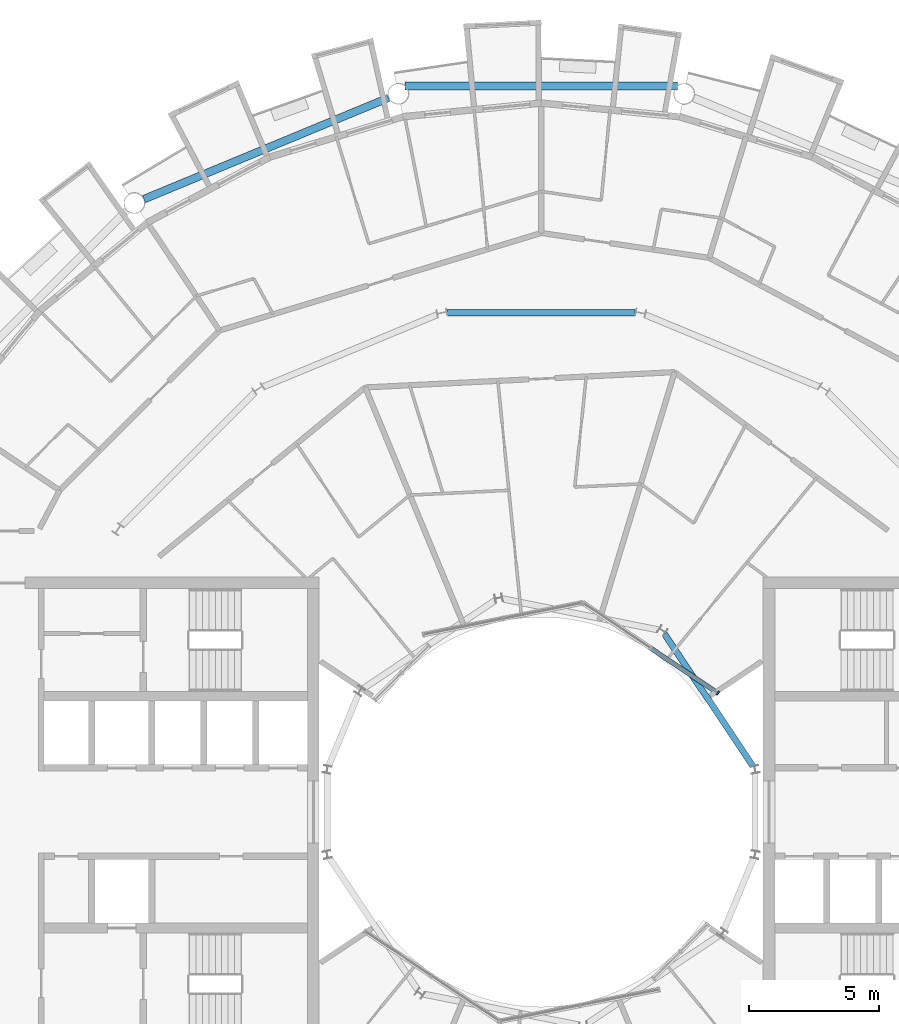
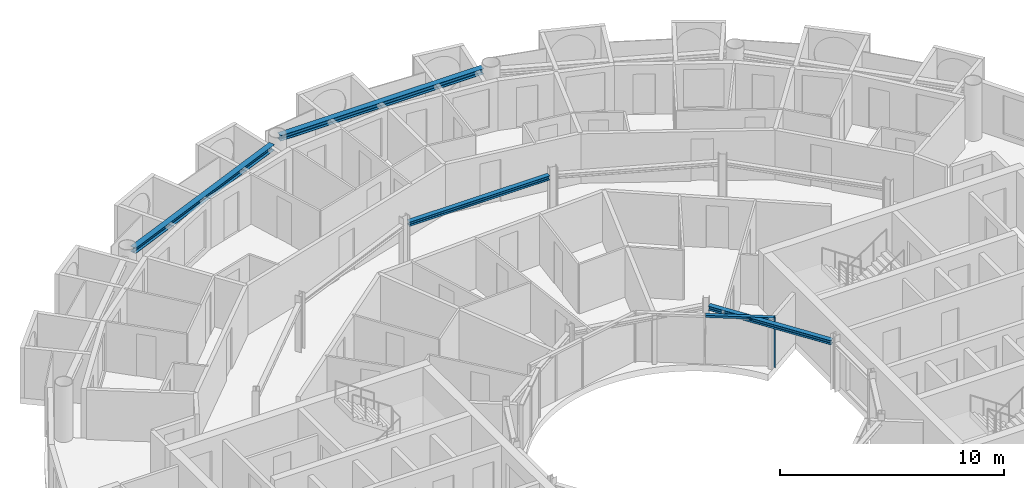
# One storey, part 10 of 29: 4 beams, 2 members, 1 element without a shape of its own.
"""IFC4 building model written with IfcOpenShell, lengths in metres."""

from ifc_helpers import new_model, si_unit, direction, frame, origin, origin_2d, place, context, subcontext, project, spatial, rectangle, i_section, extrude, material, layer, layer_set, material_profile, profile_set, type_object, element, aggregate, save


model = new_model("IFC4")

# Units and contexts
model_context = context("Model", 3, precision=1e-05, world=origin(), true_north=direction((0.0, 1.0)))
body_context = subcontext(model_context, "Body", "Model", "MODEL_VIEW")
ifc_project = project(units=[si_unit("LENGTHUNIT", "METRE"), si_unit("AREAUNIT", "SQUARE_METRE"), si_unit("VOLUMEUNIT", "CUBIC_METRE"), si_unit("PLANEANGLEUNIT", "RADIAN"), si_unit("MASSUNIT", "GRAM", prefix="KILO")], contexts=[model_context])

# Site, building, storey
site_placement = place(None, origin())
site = spatial("IfcSite", under=ifc_project, at=site_placement, CompositionType="ELEMENT")
building_placement = place(site_placement, origin())
building = spatial("IfcBuilding", under=site, at=building_placement, Name="Maasbend Ring Residences", CompositionType="ELEMENT")
storey_placement = place(building_placement, frame((0.0, 0.0, 202.39990234375)))
storey = spatial("IfcBuildingStorey", under=building, at=storey_placement, Name="L58", CompositionType="ELEMENT", Elevation=202.39990234375)

# Curtain wall, members
ifc_material_1 = material(Name="Aluminium and clear glass", Category="aluminium")
ifc_layer = layer(ifc_material_1, 0.179931640625)
ifc_layer_set = layer_set([ifc_layer], Name="CW-W")
curtain_wall_type = type_object("IfcCurtainWallType", Name="CW-W", PredefinedType="NOTDEFINED", material=ifc_layer_set)
curtain_wall_placement = place(storey_placement, origin())
curtain_wall = element("IfcCurtainWall", 1, at=curtain_wall_placement, inside=storey, type_object=curtain_wall_type, Name="Well curtain wall N1", PredefinedType="NOTDEFINED")
ifc_material_2 = material(Name="Aluminium 6063-T6", Category="aluminium")
ifc_material_profile_1 = material_profile(ifc_material_2, rectangle(XDim=0.179931640625, YDim=0.06005859375, at=origin_2d()), Name="AL 180x60")
ifc_profile_set_1 = profile_set([ifc_material_profile_1], Name="Aluminium 6063-T6")
member_type_1 = type_object("IfcMemberType", Name="CWM-W", PredefinedType="MULLION", material=ifc_profile_set_1)
member_1_placement = place(storey_placement, frame((6.805908203125, 4.580810546875, 0.0), z_axis=(0.0, 0.0, 1.0), x_axis=(-0.55557023302, -0.831469612303, 0.0)))
member_1 = element("IfcMember", 2, at=member_1_placement, type_object=member_type_1, Name="Mullion well face", PredefinedType="MULLION", context=body_context, shape_type="SweptSolid", body=[
    extrude(rectangle(XDim=0.179931640625, YDim=0.06005859375, at=origin_2d()), origin(), (0.0, 0.0, 1.0), 2.7001953125),
])
ifc_material_3 = material(Name="Aluminium 6063-T6", Category="aluminium")
ifc_material_profile_2 = material_profile(ifc_material_3, rectangle(XDim=0.179931640625, YDim=0.1201171875, at=origin_2d()), Name="AL 180x120")
ifc_profile_set_2 = profile_set([ifc_material_profile_2], Name="Aluminium 6063-T6")
member_type_2 = type_object("IfcMemberType", Name="CWT-W", PredefinedType="USERDEFINED", material=ifc_profile_set_2)
member_2_placement = place(storey_placement, frame((6.781005859375, 4.59765625, 2.64013671875), z_axis=(-0.831496422459, 0.555530106689, 0.0), x_axis=(-0.555530106689, -0.831496422459, 0.0)))
member_2 = element("IfcMember", 3, at=member_2_placement, type_object=member_type_2, Name="Transom well face", ObjectType="TRANSOM", PredefinedType="USERDEFINED", context=body_context, shape_type="SweptSolid", body=[
    extrude(rectangle(XDim=0.179931640625, YDim=0.1201171875, at=origin_2d()), origin(), (0.0, 0.0, 1.0), 3.053955078125),
])
aggregate(curtain_wall, [member_1, member_2])

# Beams
ifc_material_4 = material(Name="Steel S355J2", Category="steel")
ifc_material_profile_3 = material_profile(ifc_material_4, i_section(OverallWidth=0.239990234375, OverallDepth=0.22998046875, WebThickness=0.007568359375, FlangeThickness=0.011962890625, FilletRadius=0.02099609375, at=origin_2d()), Name="HEA 240")
ifc_profile_set_3 = profile_set([ifc_material_profile_3], Name="Steel S355J2")
beam_type_1 = type_object("IfcBeamType", Name="Corridor ring beam HEA 240", PredefinedType="BEAM", material=ifc_profile_set_3)
beam_1_placement = place(storey_placement, frame((3.619873046875, 19.223388671875, 2.585205078125), z_axis=(-1.0, 0.0, 0.0), x_axis=(0.0, -1.0, 0.0)))
element("IfcBeam", 4, at=beam_1_placement, inside=storey, type_object=beam_type_1, Name="Corridor ring beam", PredefinedType="BEAM", context=body_context, shape_type="SweptSolid", body=[
    extrude(i_section(OverallWidth=0.239990234375, OverallDepth=0.22998046875, WebThickness=0.007568359375, FlangeThickness=0.011962890625, FilletRadius=0.02099609375, at=origin_2d()), origin(), (0.0, 0.0, 1.0), 7.23974609375),
])
ifc_material_5 = material(Name="Steel S355J2", Category="steel")
ifc_material_profile_4 = material_profile(ifc_material_5, i_section(OverallWidth=0.300048828125, OverallDepth=0.300048828125, WebThickness=0.010986328125, FlangeThickness=0.01904296875, FilletRadius=0.027099609375, at=origin_2d()), Name="HEB 300")
ifc_profile_set_4 = profile_set([ifc_material_profile_4], Name="Steel S355J2")
beam_type_2 = type_object("IfcBeamType", Name="Spandrel ring beam HEB 300", PredefinedType="SPANDREL", material=ifc_profile_set_4)
beam_2_placement = place(storey_placement, frame((5.2451171875, 27.9580078125, 2.550048828125), z_axis=(-1.0, 0.0, 0.0), x_axis=(0.0, -1.0, 0.0)))
element("IfcBeam", 5, at=beam_2_placement, inside=storey, type_object=beam_type_2, Name="Spandrel ring beam", PredefinedType="SPANDREL", context=body_context, shape_type="SweptSolid", body=[
    extrude(i_section(OverallWidth=0.300048828125, OverallDepth=0.300048828125, WebThickness=0.010986328125, FlangeThickness=0.01904296875, FilletRadius=0.027099609375, at=origin_2d()), origin(), (0.0, 0.0, 1.0), 10.490234375),
])
beam_3_placement = place(storey_placement, frame((-5.877197265625, 27.50244140625, 2.550048828125), z_axis=(-0.923883676188, -0.382673428492, 0.0), x_axis=(0.382673428492, -0.923883676188, 0.0)))
element("IfcBeam", 6, at=beam_3_placement, inside=storey, type_object=beam_type_2, Name="Spandrel ring beam", PredefinedType="SPANDREL", context=body_context, shape_type="SweptSolid", body=[
    extrude(i_section(OverallWidth=0.300048828125, OverallDepth=0.300048828125, WebThickness=0.010986328125, FlangeThickness=0.01904296875, FilletRadius=0.027099609375, at=origin_2d()), origin(), (0.0, 0.0, 1.0), 10.18994140625),
])
ifc_material_6 = material(Name="Steel S355J2", Category="steel")
ifc_material_profile_5 = material_profile(ifc_material_6, i_section(OverallWidth=0.239990234375, OverallDepth=0.22998046875, WebThickness=0.007568359375, FlangeThickness=0.011962890625, FilletRadius=0.02099609375, at=origin_2d()), Name="HEA 240")
ifc_profile_set_5 = profile_set([ifc_material_profile_5], Name="Steel S355J2")
beam_type_3 = type_object("IfcBeamType", Name="Well edge beam HEA 240", PredefinedType="BEAM", material=ifc_profile_set_5)
beam_4_placement = place(storey_placement, frame((8.1513671875, 1.769287109375, 2.585205078125), z_axis=(-0.555584356119, 0.831460175376, 0.0), x_axis=(-0.831460175376, -0.555584356119, 0.0)))
element("IfcBeam", 7, at=beam_4_placement, inside=storey, type_object=beam_type_3, Name="Well edge beam", PredefinedType="BEAM", context=body_context, shape_type="SweptSolid", body=[
    extrude(i_section(OverallWidth=0.239990234375, OverallDepth=0.22998046875, WebThickness=0.007568359375, FlangeThickness=0.011962890625, FilletRadius=0.02099609375, at=origin_2d()), origin(), (0.0, 0.0, 1.0), 6.115234375),
])

save(model, "model.ifc")
